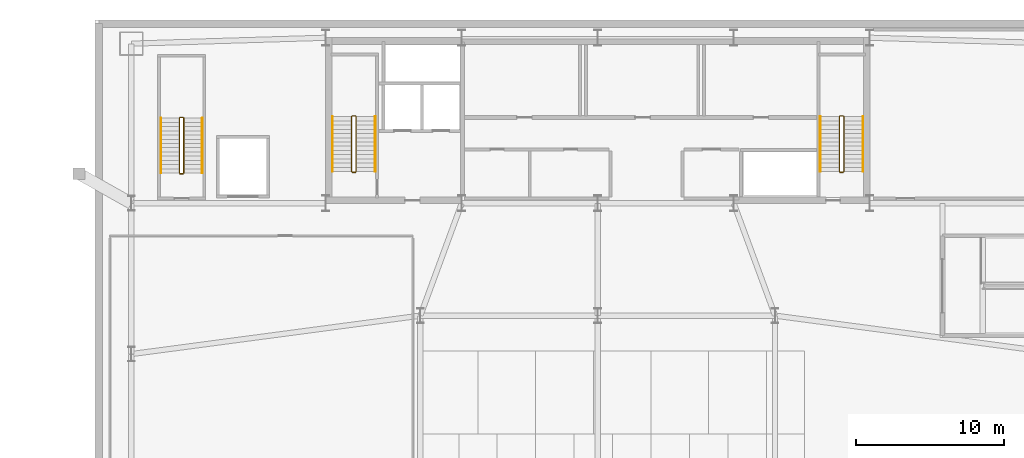
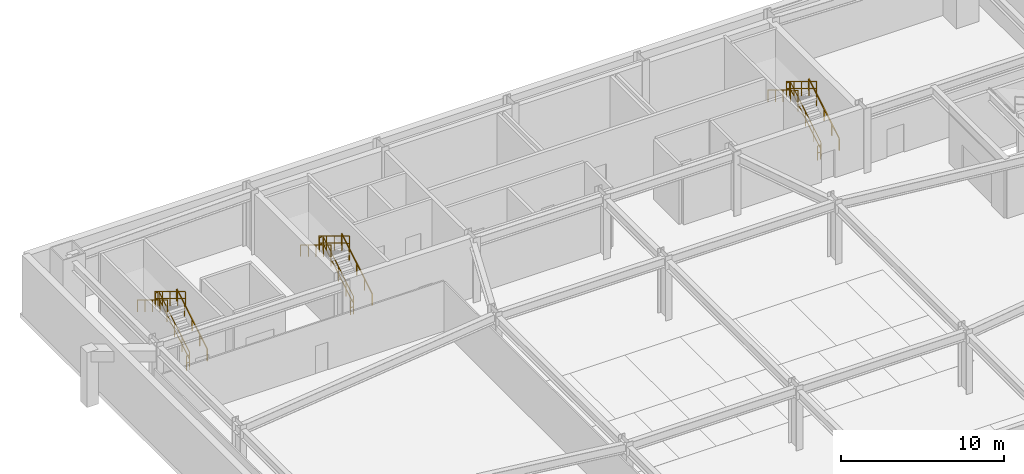
# One storey, part 8 of 9: 18 railings.
"""IFC4 building model written with IfcOpenShell, lengths in metres."""

from ifc_helpers import new_model, si_unit, direction, frame, origin, origin_2d, place, context, subcontext, project, spatial, rectangle, extrude, material, type_object, element, save


model = new_model("IFC4")

# Units and contexts
model_context = context("Model", 3, precision=1e-05, world=origin(), true_north=direction((0.0, 1.0)))
body_context = subcontext(model_context, "Body", "Model", "MODEL_VIEW")
ifc_project = project(units=[si_unit("LENGTHUNIT", "METRE"), si_unit("AREAUNIT", "SQUARE_METRE"), si_unit("VOLUMEUNIT", "CUBIC_METRE"), si_unit("PLANEANGLEUNIT", "RADIAN"), si_unit("MASSUNIT", "GRAM", prefix="KILO")], contexts=[model_context])

# Site, building, storey
site_placement = place(None, origin())
site = spatial("IfcSite", under=ifc_project, at=site_placement, CompositionType="ELEMENT")
building_placement = place(site_placement, origin())
building = spatial("IfcBuilding", under=site, at=building_placement, Name="Varnel Quay Broadcast Tower", CompositionType="ELEMENT")
storey_placement = place(building_placement, frame((0.0, 0.0, -4.800048828125)))
storey = spatial("IfcBuildingStorey", under=building, at=storey_placement, Name="B1", CompositionType="ELEMENT", Elevation=-4.800048828125)

# Railings
ifc_material = material(Name="Painted Steel Guard and Handrail CSA G40.21 350W", Category="steel")
railing_type_1 = type_object("IfcRailingType", Name="Rail_StairGuard1100", PredefinedType="GUARDRAIL", material=ifc_material)
railing_1_placement = place(storey_placement, frame((17.64990234375, 37.75, 0.17138671875)))
element("IfcRailing", 1, at=railing_1_placement, inside=storey, type_object=railing_type_1, Name="B1 ST-01 stair guard 1", PredefinedType="GUARDRAIL", context=body_context, shape_type="SweptSolid", body=[
    extrude(rectangle(XDim=0.048095703125, YDim=0.048095703125, at=origin_2d()), frame((0.0, 0.0, 1.076171875), z_axis=(0.0, 0.856909459561, 0.515466951525), x_axis=(-1.0, 0.0, 0.0)), (0.0, 0.0, 1.0), 4.32373046875),
    extrude(rectangle(XDim=0.048095703125, YDim=0.048095703125, at=origin_2d()), frame((0.0, 0.0, 0.550048828125), z_axis=(0.0, 0.856909459561, 0.515466951525), x_axis=(-1.0, 0.0, 0.0)), (0.0, 0.0, 1.0), 4.32373046875),
    extrude(rectangle(XDim=0.0419921875, YDim=0.0419921875, at=origin_2d()), origin(), (0.0, 0.0, 1.0), 1.052001953125),
    extrude(rectangle(XDim=0.0419921875, YDim=0.0419921875, at=origin_2d()), frame((0.0, 0.92626953125, 0.55712890625)), (0.0, 0.0, 1.0), 1.052001953125),
    extrude(rectangle(XDim=0.0419921875, YDim=0.0419921875, at=origin_2d()), frame((0.0, 1.8525390625, 1.1142578125)), (0.0, 0.0, 1.0), 1.052001953125),
    extrude(rectangle(XDim=0.0419921875, YDim=0.0419921875, at=origin_2d()), frame((0.0, 2.77880859375, 1.671630859375)), (0.0, 0.0, 1.0), 1.052001953125),
    extrude(rectangle(XDim=0.0419921875, YDim=0.0419921875, at=origin_2d()), frame((0.0, 3.705078125, 2.228759765625)), (0.0, 0.0, 1.0), 1.052001953125),
])
railing_2_placement = place(storey_placement, frame((17.60009765625, 41.5048828125, 2.400146484375)))
element("IfcRailing", 2, at=railing_2_placement, inside=storey, type_object=railing_type_1, Name="B1 ST-01 stair guard 2", PredefinedType="GUARDRAIL", context=body_context, shape_type="SweptSolid", body=[
    extrude(rectangle(XDim=0.048095703125, YDim=0.048095703125, at=origin_2d()), frame((0.0, 0.0, 1.076171875), z_axis=(-1.0, 0.0, 0.0), x_axis=(0.0, -1.0, 0.0)), (0.0, 0.0, 1.0), 0.2001953125),
    extrude(rectangle(XDim=0.048095703125, YDim=0.048095703125, at=origin_2d()), frame((0.0, 0.0, 0.550048828125), z_axis=(-1.0, 0.0, 0.0), x_axis=(0.0, -1.0, 0.0)), (0.0, 0.0, 1.0), 0.2001953125),
    extrude(rectangle(XDim=0.0419921875, YDim=0.0419921875, at=origin_2d()), origin(), (0.0, 0.0, 1.0), 1.052001953125),
    extrude(rectangle(XDim=0.0419921875, YDim=0.0419921875, at=origin_2d()), frame((-0.2001953125, 0.0, 0.0)), (0.0, 0.0, 1.0), 1.052001953125),
])
railing_3_placement = place(storey_placement, frame((17.35009765625, 41.455078125, 2.571533203125)))
element("IfcRailing", 3, at=railing_3_placement, inside=storey, type_object=railing_type_1, Name="B1 ST-01 stair guard 3", PredefinedType="GUARDRAIL", context=body_context, shape_type="SweptSolid", body=[
    extrude(rectangle(XDim=0.048095703125, YDim=0.048095703125, at=origin_2d()), frame((0.0, 0.0, 1.076171875), z_axis=(0.0, -0.856934400257, 0.515425487977), x_axis=(1.0, 0.0, 0.0)), (0.0, 0.0, 1.0), 4.32373046875),
    extrude(rectangle(XDim=0.048095703125, YDim=0.048095703125, at=origin_2d()), frame((0.0, 0.0, 0.550048828125), z_axis=(0.0, -0.856934400257, 0.515425487977), x_axis=(1.0, 0.0, 0.0)), (0.0, 0.0, 1.0), 4.32373046875),
    extrude(rectangle(XDim=0.0419921875, YDim=0.0419921875, at=origin_2d()), origin(), (0.0, 0.0, 1.0), 1.052001953125),
    extrude(rectangle(XDim=0.0419921875, YDim=0.0419921875, at=origin_2d()), frame((0.0, -0.92626953125, 0.55712890625)), (0.0, 0.0, 1.0), 1.052001953125),
    extrude(rectangle(XDim=0.0419921875, YDim=0.0419921875, at=origin_2d()), frame((0.0, -1.8525390625, 1.1142578125)), (0.0, 0.0, 1.0), 1.052001953125),
    extrude(rectangle(XDim=0.0419921875, YDim=0.0419921875, at=origin_2d()), frame((0.0, -2.77880859375, 1.67138671875)), (0.0, 0.0, 1.0), 1.052001953125),
    extrude(rectangle(XDim=0.0419921875, YDim=0.0419921875, at=origin_2d()), frame((0.0, -3.705078125, 2.228515625)), (0.0, 0.0, 1.0), 1.052001953125),
])
railing_4_placement = place(storey_placement, frame((17.60009765625, 37.699951171875, 0.0)))
element("IfcRailing", 4, at=railing_4_placement, inside=storey, type_object=railing_type_1, Name="B1 ST-01 stair guard 4", PredefinedType="GUARDRAIL", context=body_context, shape_type="SweptSolid", body=[
    extrude(rectangle(XDim=0.048095703125, YDim=0.048095703125, at=origin_2d()), frame((0.0, 0.0, 1.076171875), z_axis=(-1.0, 0.0, 0.0), x_axis=(0.0, -1.0, 0.0)), (0.0, 0.0, 1.0), 0.2001953125),
    extrude(rectangle(XDim=0.048095703125, YDim=0.048095703125, at=origin_2d()), frame((0.0, 0.0, 0.550048828125), z_axis=(-1.0, 0.0, 0.0), x_axis=(0.0, -1.0, 0.0)), (0.0, 0.0, 1.0), 0.2001953125),
    extrude(rectangle(XDim=0.0419921875, YDim=0.0419921875, at=origin_2d()), origin(), (0.0, 0.0, 1.0), 1.052001953125),
    extrude(rectangle(XDim=0.0419921875, YDim=0.0419921875, at=origin_2d()), frame((-0.2001953125, 0.0, 0.0)), (0.0, 0.0, 1.0), 1.052001953125),
])
railing_5_placement = place(storey_placement, frame((50.64990234375, 37.75, 0.17138671875)))
element("IfcRailing", 5, at=railing_5_placement, inside=storey, type_object=railing_type_1, Name="B1 ST-02 stair guard 1", PredefinedType="GUARDRAIL", context=body_context, shape_type="SweptSolid", body=[
    extrude(rectangle(XDim=0.048095703125, YDim=0.048095703125, at=origin_2d()), frame((0.0, 0.0, 1.076171875), z_axis=(0.0, 0.856909459561, 0.515466951525), x_axis=(-1.0, 0.0, 0.0)), (0.0, 0.0, 1.0), 4.32373046875),
    extrude(rectangle(XDim=0.048095703125, YDim=0.048095703125, at=origin_2d()), frame((0.0, 0.0, 0.550048828125), z_axis=(0.0, 0.856909459561, 0.515466951525), x_axis=(-1.0, 0.0, 0.0)), (0.0, 0.0, 1.0), 4.32373046875),
    extrude(rectangle(XDim=0.0419921875, YDim=0.0419921875, at=origin_2d()), origin(), (0.0, 0.0, 1.0), 1.052001953125),
    extrude(rectangle(XDim=0.0419921875, YDim=0.0419921875, at=origin_2d()), frame((0.0, 0.92626953125, 0.55712890625)), (0.0, 0.0, 1.0), 1.052001953125),
    extrude(rectangle(XDim=0.0419921875, YDim=0.0419921875, at=origin_2d()), frame((0.0, 1.8525390625, 1.1142578125)), (0.0, 0.0, 1.0), 1.052001953125),
    extrude(rectangle(XDim=0.0419921875, YDim=0.0419921875, at=origin_2d()), frame((0.0, 2.77880859375, 1.671630859375)), (0.0, 0.0, 1.0), 1.052001953125),
    extrude(rectangle(XDim=0.0419921875, YDim=0.0419921875, at=origin_2d()), frame((0.0, 3.705078125, 2.228759765625)), (0.0, 0.0, 1.0), 1.052001953125),
])
railing_6_placement = place(storey_placement, frame((50.60009765625, 41.5048828125, 2.400146484375)))
element("IfcRailing", 6, at=railing_6_placement, inside=storey, type_object=railing_type_1, Name="B1 ST-02 stair guard 2", PredefinedType="GUARDRAIL", context=body_context, shape_type="SweptSolid", body=[
    extrude(rectangle(XDim=0.048095703125, YDim=0.048095703125, at=origin_2d()), frame((0.0, 0.0, 1.076171875), z_axis=(-1.0, 0.0, 0.0), x_axis=(0.0, -1.0, 0.0)), (0.0, 0.0, 1.0), 0.2001953125),
    extrude(rectangle(XDim=0.048095703125, YDim=0.048095703125, at=origin_2d()), frame((0.0, 0.0, 0.550048828125), z_axis=(-1.0, 0.0, 0.0), x_axis=(0.0, -1.0, 0.0)), (0.0, 0.0, 1.0), 0.2001953125),
    extrude(rectangle(XDim=0.0419921875, YDim=0.0419921875, at=origin_2d()), origin(), (0.0, 0.0, 1.0), 1.052001953125),
    extrude(rectangle(XDim=0.0419921875, YDim=0.0419921875, at=origin_2d()), frame((-0.2001953125, 0.0, 0.0)), (0.0, 0.0, 1.0), 1.052001953125),
])
railing_7_placement = place(storey_placement, frame((50.35009765625, 41.455078125, 2.571533203125)))
element("IfcRailing", 7, at=railing_7_placement, inside=storey, type_object=railing_type_1, Name="B1 ST-02 stair guard 3", PredefinedType="GUARDRAIL", context=body_context, shape_type="SweptSolid", body=[
    extrude(rectangle(XDim=0.048095703125, YDim=0.048095703125, at=origin_2d()), frame((0.0, 0.0, 1.076171875), z_axis=(0.0, -0.856934400257, 0.515425487977), x_axis=(1.0, 0.0, 0.0)), (0.0, 0.0, 1.0), 4.32373046875),
    extrude(rectangle(XDim=0.048095703125, YDim=0.048095703125, at=origin_2d()), frame((0.0, 0.0, 0.550048828125), z_axis=(0.0, -0.856934400257, 0.515425487977), x_axis=(1.0, 0.0, 0.0)), (0.0, 0.0, 1.0), 4.32373046875),
    extrude(rectangle(XDim=0.0419921875, YDim=0.0419921875, at=origin_2d()), origin(), (0.0, 0.0, 1.0), 1.052001953125),
    extrude(rectangle(XDim=0.0419921875, YDim=0.0419921875, at=origin_2d()), frame((0.0, -0.92626953125, 0.55712890625)), (0.0, 0.0, 1.0), 1.052001953125),
    extrude(rectangle(XDim=0.0419921875, YDim=0.0419921875, at=origin_2d()), frame((0.0, -1.8525390625, 1.1142578125)), (0.0, 0.0, 1.0), 1.052001953125),
    extrude(rectangle(XDim=0.0419921875, YDim=0.0419921875, at=origin_2d()), frame((0.0, -2.77880859375, 1.67138671875)), (0.0, 0.0, 1.0), 1.052001953125),
    extrude(rectangle(XDim=0.0419921875, YDim=0.0419921875, at=origin_2d()), frame((0.0, -3.705078125, 2.228515625)), (0.0, 0.0, 1.0), 1.052001953125),
])
railing_8_placement = place(storey_placement, frame((50.60009765625, 37.699951171875, 0.0)))
element("IfcRailing", 8, at=railing_8_placement, inside=storey, type_object=railing_type_1, Name="B1 ST-02 stair guard 4", PredefinedType="GUARDRAIL", context=body_context, shape_type="SweptSolid", body=[
    extrude(rectangle(XDim=0.048095703125, YDim=0.048095703125, at=origin_2d()), frame((0.0, 0.0, 1.076171875), z_axis=(-1.0, 0.0, 0.0), x_axis=(0.0, -1.0, 0.0)), (0.0, 0.0, 1.0), 0.2001953125),
    extrude(rectangle(XDim=0.048095703125, YDim=0.048095703125, at=origin_2d()), frame((0.0, 0.0, 0.550048828125), z_axis=(-1.0, 0.0, 0.0), x_axis=(0.0, -1.0, 0.0)), (0.0, 0.0, 1.0), 0.2001953125),
    extrude(rectangle(XDim=0.0419921875, YDim=0.0419921875, at=origin_2d()), origin(), (0.0, 0.0, 1.0), 1.052001953125),
    extrude(rectangle(XDim=0.0419921875, YDim=0.0419921875, at=origin_2d()), frame((-0.2001953125, 0.0, 0.0)), (0.0, 0.0, 1.0), 1.052001953125),
])
railing_9_placement = place(storey_placement, frame((6.0, 37.64990234375, 0.17138671875)))
element("IfcRailing", 9, at=railing_9_placement, inside=storey, type_object=railing_type_1, Name="B1 ST-03 stair guard 1", PredefinedType="GUARDRAIL", context=body_context, shape_type="SweptSolid", body=[
    extrude(rectangle(XDim=0.048095703125, YDim=0.048095703125, at=origin_2d()), frame((0.0, 0.0, 1.076171875), z_axis=(0.0, 0.856909459561, 0.515466951525), x_axis=(-1.0, 0.0, 0.0)), (0.0, 0.0, 1.0), 4.32373046875),
    extrude(rectangle(XDim=0.048095703125, YDim=0.048095703125, at=origin_2d()), frame((0.0, 0.0, 0.550048828125), z_axis=(0.0, 0.856909459561, 0.515466951525), x_axis=(-1.0, 0.0, 0.0)), (0.0, 0.0, 1.0), 4.32373046875),
    extrude(rectangle(XDim=0.0419921875, YDim=0.0419921875, at=origin_2d()), origin(), (0.0, 0.0, 1.0), 1.052001953125),
    extrude(rectangle(XDim=0.0419921875, YDim=0.0419921875, at=origin_2d()), frame((0.0, 0.92626953125, 0.55712890625)), (0.0, 0.0, 1.0), 1.052001953125),
    extrude(rectangle(XDim=0.0419921875, YDim=0.0419921875, at=origin_2d()), frame((0.0, 1.8525390625, 1.1142578125)), (0.0, 0.0, 1.0), 1.052001953125),
    extrude(rectangle(XDim=0.0419921875, YDim=0.0419921875, at=origin_2d()), frame((0.0, 2.77880859375, 1.671630859375)), (0.0, 0.0, 1.0), 1.052001953125),
    extrude(rectangle(XDim=0.0419921875, YDim=0.0419921875, at=origin_2d()), frame((0.0, 3.705078125, 2.228759765625)), (0.0, 0.0, 1.0), 1.052001953125),
])
railing_10_placement = place(storey_placement, frame((5.949951171875, 41.405029296875, 2.400146484375)))
element("IfcRailing", 10, at=railing_10_placement, inside=storey, type_object=railing_type_1, Name="B1 ST-03 stair guard 2", PredefinedType="GUARDRAIL", context=body_context, shape_type="SweptSolid", body=[
    extrude(rectangle(XDim=0.048095703125, YDim=0.048095703125, at=origin_2d()), frame((0.0, 0.0, 1.076171875), z_axis=(-1.0, 0.0, 0.0), x_axis=(0.0, -1.0, 0.0)), (0.0, 0.0, 1.0), 0.199951171875),
    extrude(rectangle(XDim=0.048095703125, YDim=0.048095703125, at=origin_2d()), frame((0.0, 0.0, 0.550048828125), z_axis=(-1.0, 0.0, 0.0), x_axis=(0.0, -1.0, 0.0)), (0.0, 0.0, 1.0), 0.199951171875),
    extrude(rectangle(XDim=0.0419921875, YDim=0.0419921875, at=origin_2d()), origin(), (0.0, 0.0, 1.0), 1.052001953125),
    extrude(rectangle(XDim=0.0419921875, YDim=0.0419921875, at=origin_2d()), frame((-0.199951171875, 0.0, 0.0)), (0.0, 0.0, 1.0), 1.052001953125),
])
railing_11_placement = place(storey_placement, frame((5.699951171875, 41.35498046875, 2.571533203125)))
element("IfcRailing", 11, at=railing_11_placement, inside=storey, type_object=railing_type_1, Name="B1 ST-03 stair guard 3", PredefinedType="GUARDRAIL", context=body_context, shape_type="SweptSolid", body=[
    extrude(rectangle(XDim=0.048095703125, YDim=0.048095703125, at=origin_2d()), frame((0.0, 0.0, 1.076171875), z_axis=(0.0, -0.856934400257, 0.515425487977), x_axis=(1.0, 0.0, 0.0)), (0.0, 0.0, 1.0), 4.32373046875),
    extrude(rectangle(XDim=0.048095703125, YDim=0.048095703125, at=origin_2d()), frame((0.0, 0.0, 0.550048828125), z_axis=(0.0, -0.856934400257, 0.515425487977), x_axis=(1.0, 0.0, 0.0)), (0.0, 0.0, 1.0), 4.32373046875),
    extrude(rectangle(XDim=0.0419921875, YDim=0.0419921875, at=origin_2d()), origin(), (0.0, 0.0, 1.0), 1.052001953125),
    extrude(rectangle(XDim=0.0419921875, YDim=0.0419921875, at=origin_2d()), frame((0.0, -0.92626953125, 0.55712890625)), (0.0, 0.0, 1.0), 1.052001953125),
    extrude(rectangle(XDim=0.0419921875, YDim=0.0419921875, at=origin_2d()), frame((0.0, -1.8525390625, 1.1142578125)), (0.0, 0.0, 1.0), 1.052001953125),
    extrude(rectangle(XDim=0.0419921875, YDim=0.0419921875, at=origin_2d()), frame((0.0, -2.77880859375, 1.67138671875)), (0.0, 0.0, 1.0), 1.052001953125),
    extrude(rectangle(XDim=0.0419921875, YDim=0.0419921875, at=origin_2d()), frame((0.0, -3.705078125, 2.228515625)), (0.0, 0.0, 1.0), 1.052001953125),
])
railing_12_placement = place(storey_placement, frame((5.949951171875, 37.60009765625, 0.0)))
element("IfcRailing", 12, at=railing_12_placement, inside=storey, type_object=railing_type_1, Name="B1 ST-03 stair guard 4", PredefinedType="GUARDRAIL", context=body_context, shape_type="SweptSolid", body=[
    extrude(rectangle(XDim=0.048095703125, YDim=0.048095703125, at=origin_2d()), frame((0.0, 0.0, 1.076171875), z_axis=(-1.0, 0.0, 0.0), x_axis=(0.0, -1.0, 0.0)), (0.0, 0.0, 1.0), 0.199951171875),
    extrude(rectangle(XDim=0.048095703125, YDim=0.048095703125, at=origin_2d()), frame((0.0, 0.0, 0.550048828125), z_axis=(-1.0, 0.0, 0.0), x_axis=(0.0, -1.0, 0.0)), (0.0, 0.0, 1.0), 0.199951171875),
    extrude(rectangle(XDim=0.0419921875, YDim=0.0419921875, at=origin_2d()), origin(), (0.0, 0.0, 1.0), 1.052001953125),
    extrude(rectangle(XDim=0.0419921875, YDim=0.0419921875, at=origin_2d()), frame((-0.199951171875, 0.0, 0.0)), (0.0, 0.0, 1.0), 1.052001953125),
])
railing_type_2 = type_object("IfcRailingType", Name="Rail_StairHandrail900", PredefinedType="HANDRAIL", material=ifc_material)
railing_13_placement = place(storey_placement, frame((18.949951171875, 37.75, 0.17138671875)))
element("IfcRailing", 13, at=railing_13_placement, inside=storey, type_object=railing_type_2, Name="B1 ST-01 stair handrail 1", PredefinedType="HANDRAIL", context=body_context, shape_type="SweptSolid", body=[
    extrude(rectangle(XDim=0.048095703125, YDim=0.048095703125, at=origin_2d()), frame((0.0, 0.0, 0.8759765625), z_axis=(0.0, 0.856909459561, 0.515466951525), x_axis=(-1.0, 0.0, 0.0)), (0.0, 0.0, 1.0), 4.32373046875),
    extrude(rectangle(XDim=0.0419921875, YDim=0.0419921875, at=origin_2d()), origin(), (0.0, 0.0, 1.0), 0.851806640625),
    extrude(rectangle(XDim=0.0419921875, YDim=0.0419921875, at=origin_2d()), frame((0.0, 0.92626953125, 0.55712890625)), (0.0, 0.0, 1.0), 0.851806640625),
    extrude(rectangle(XDim=0.0419921875, YDim=0.0419921875, at=origin_2d()), frame((0.0, 1.8525390625, 1.1142578125)), (0.0, 0.0, 1.0), 0.851806640625),
    extrude(rectangle(XDim=0.0419921875, YDim=0.0419921875, at=origin_2d()), frame((0.0, 2.77880859375, 1.671630859375)), (0.0, 0.0, 1.0), 0.851806640625),
    extrude(rectangle(XDim=0.0419921875, YDim=0.0419921875, at=origin_2d()), frame((0.0, 3.705078125, 2.228759765625)), (0.0, 0.0, 1.0), 0.851806640625),
])
railing_14_placement = place(storey_placement, frame((16.050048828125, 41.455078125, 2.571533203125)))
element("IfcRailing", 14, at=railing_14_placement, inside=storey, type_object=railing_type_2, Name="B1 ST-01 stair handrail 2", PredefinedType="HANDRAIL", context=body_context, shape_type="SweptSolid", body=[
    extrude(rectangle(XDim=0.048095703125, YDim=0.048095703125, at=origin_2d()), frame((0.0, 0.0, 0.8759765625), z_axis=(0.0, -0.856934400257, 0.515425487977), x_axis=(1.0, 0.0, 0.0)), (0.0, 0.0, 1.0), 4.32373046875),
    extrude(rectangle(XDim=0.0419921875, YDim=0.0419921875, at=origin_2d()), origin(), (0.0, 0.0, 1.0), 0.851806640625),
    extrude(rectangle(XDim=0.0419921875, YDim=0.0419921875, at=origin_2d()), frame((0.0, -0.92626953125, 0.55712890625)), (0.0, 0.0, 1.0), 0.851806640625),
    extrude(rectangle(XDim=0.0419921875, YDim=0.0419921875, at=origin_2d()), frame((0.0, -1.8525390625, 1.1142578125)), (0.0, 0.0, 1.0), 0.851806640625),
    extrude(rectangle(XDim=0.0419921875, YDim=0.0419921875, at=origin_2d()), frame((0.0, -2.77880859375, 1.67138671875)), (0.0, 0.0, 1.0), 0.851806640625),
    extrude(rectangle(XDim=0.0419921875, YDim=0.0419921875, at=origin_2d()), frame((0.0, -3.705078125, 2.228515625)), (0.0, 0.0, 1.0), 0.851806640625),
])
railing_15_placement = place(storey_placement, frame((51.949951171875, 37.75, 0.17138671875)))
element("IfcRailing", 15, at=railing_15_placement, inside=storey, type_object=railing_type_2, Name="B1 ST-02 stair handrail 1", PredefinedType="HANDRAIL", context=body_context, shape_type="SweptSolid", body=[
    extrude(rectangle(XDim=0.048095703125, YDim=0.048095703125, at=origin_2d()), frame((0.0, 0.0, 0.8759765625), z_axis=(0.0, 0.856909459561, 0.515466951525), x_axis=(-1.0, 0.0, 0.0)), (0.0, 0.0, 1.0), 4.32373046875),
    extrude(rectangle(XDim=0.0419921875, YDim=0.0419921875, at=origin_2d()), origin(), (0.0, 0.0, 1.0), 0.851806640625),
    extrude(rectangle(XDim=0.0419921875, YDim=0.0419921875, at=origin_2d()), frame((0.0, 0.92626953125, 0.55712890625)), (0.0, 0.0, 1.0), 0.851806640625),
    extrude(rectangle(XDim=0.0419921875, YDim=0.0419921875, at=origin_2d()), frame((0.0, 1.8525390625, 1.1142578125)), (0.0, 0.0, 1.0), 0.851806640625),
    extrude(rectangle(XDim=0.0419921875, YDim=0.0419921875, at=origin_2d()), frame((0.0, 2.77880859375, 1.671630859375)), (0.0, 0.0, 1.0), 0.851806640625),
    extrude(rectangle(XDim=0.0419921875, YDim=0.0419921875, at=origin_2d()), frame((0.0, 3.705078125, 2.228759765625)), (0.0, 0.0, 1.0), 0.851806640625),
])
railing_16_placement = place(storey_placement, frame((49.050048828125, 41.455078125, 2.571533203125)))
element("IfcRailing", 16, at=railing_16_placement, inside=storey, type_object=railing_type_2, Name="B1 ST-02 stair handrail 2", PredefinedType="HANDRAIL", context=body_context, shape_type="SweptSolid", body=[
    extrude(rectangle(XDim=0.048095703125, YDim=0.048095703125, at=origin_2d()), frame((0.0, 0.0, 0.8759765625), z_axis=(0.0, -0.856934400257, 0.515425487977), x_axis=(1.0, 0.0, 0.0)), (0.0, 0.0, 1.0), 4.32373046875),
    extrude(rectangle(XDim=0.0419921875, YDim=0.0419921875, at=origin_2d()), origin(), (0.0, 0.0, 1.0), 0.851806640625),
    extrude(rectangle(XDim=0.0419921875, YDim=0.0419921875, at=origin_2d()), frame((0.0, -0.92626953125, 0.55712890625)), (0.0, 0.0, 1.0), 0.851806640625),
    extrude(rectangle(XDim=0.0419921875, YDim=0.0419921875, at=origin_2d()), frame((0.0, -1.8525390625, 1.1142578125)), (0.0, 0.0, 1.0), 0.851806640625),
    extrude(rectangle(XDim=0.0419921875, YDim=0.0419921875, at=origin_2d()), frame((0.0, -2.77880859375, 1.67138671875)), (0.0, 0.0, 1.0), 0.851806640625),
    extrude(rectangle(XDim=0.0419921875, YDim=0.0419921875, at=origin_2d()), frame((0.0, -3.705078125, 2.228515625)), (0.0, 0.0, 1.0), 0.851806640625),
])
railing_17_placement = place(storey_placement, frame((7.25, 37.64990234375, 0.17138671875)))
element("IfcRailing", 17, at=railing_17_placement, inside=storey, type_object=railing_type_2, Name="B1 ST-03 stair handrail 1", PredefinedType="HANDRAIL", context=body_context, shape_type="SweptSolid", body=[
    extrude(rectangle(XDim=0.048095703125, YDim=0.048095703125, at=origin_2d()), frame((0.0, 0.0, 0.8759765625), z_axis=(0.0, 0.856909459561, 0.515466951525), x_axis=(-1.0, 0.0, 0.0)), (0.0, 0.0, 1.0), 4.32373046875),
    extrude(rectangle(XDim=0.0419921875, YDim=0.0419921875, at=origin_2d()), origin(), (0.0, 0.0, 1.0), 0.851806640625),
    extrude(rectangle(XDim=0.0419921875, YDim=0.0419921875, at=origin_2d()), frame((0.0, 0.92626953125, 0.55712890625)), (0.0, 0.0, 1.0), 0.851806640625),
    extrude(rectangle(XDim=0.0419921875, YDim=0.0419921875, at=origin_2d()), frame((0.0, 1.8525390625, 1.1142578125)), (0.0, 0.0, 1.0), 0.851806640625),
    extrude(rectangle(XDim=0.0419921875, YDim=0.0419921875, at=origin_2d()), frame((0.0, 2.77880859375, 1.671630859375)), (0.0, 0.0, 1.0), 0.851806640625),
    extrude(rectangle(XDim=0.0419921875, YDim=0.0419921875, at=origin_2d()), frame((0.0, 3.705078125, 2.228759765625)), (0.0, 0.0, 1.0), 0.851806640625),
])
railing_18_placement = place(storey_placement, frame((4.449951171875, 41.35498046875, 2.571533203125)))
element("IfcRailing", 18, at=railing_18_placement, inside=storey, type_object=railing_type_2, Name="B1 ST-03 stair handrail 2", PredefinedType="HANDRAIL", context=body_context, shape_type="SweptSolid", body=[
    extrude(rectangle(XDim=0.048095703125, YDim=0.048095703125, at=origin_2d()), frame((0.0, 0.0, 0.8759765625), z_axis=(0.0, -0.856934400257, 0.515425487977), x_axis=(1.0, 0.0, 0.0)), (0.0, 0.0, 1.0), 4.32373046875),
    extrude(rectangle(XDim=0.0419921875, YDim=0.0419921875, at=origin_2d()), origin(), (0.0, 0.0, 1.0), 0.851806640625),
    extrude(rectangle(XDim=0.0419921875, YDim=0.0419921875, at=origin_2d()), frame((0.0, -0.92626953125, 0.55712890625)), (0.0, 0.0, 1.0), 0.851806640625),
    extrude(rectangle(XDim=0.0419921875, YDim=0.0419921875, at=origin_2d()), frame((0.0, -1.8525390625, 1.1142578125)), (0.0, 0.0, 1.0), 0.851806640625),
    extrude(rectangle(XDim=0.0419921875, YDim=0.0419921875, at=origin_2d()), frame((0.0, -2.77880859375, 1.67138671875)), (0.0, 0.0, 1.0), 0.851806640625),
    extrude(rectangle(XDim=0.0419921875, YDim=0.0419921875, at=origin_2d()), frame((0.0, -3.705078125, 2.228515625)), (0.0, 0.0, 1.0), 0.851806640625),
])

save(model, "model.ifc")
